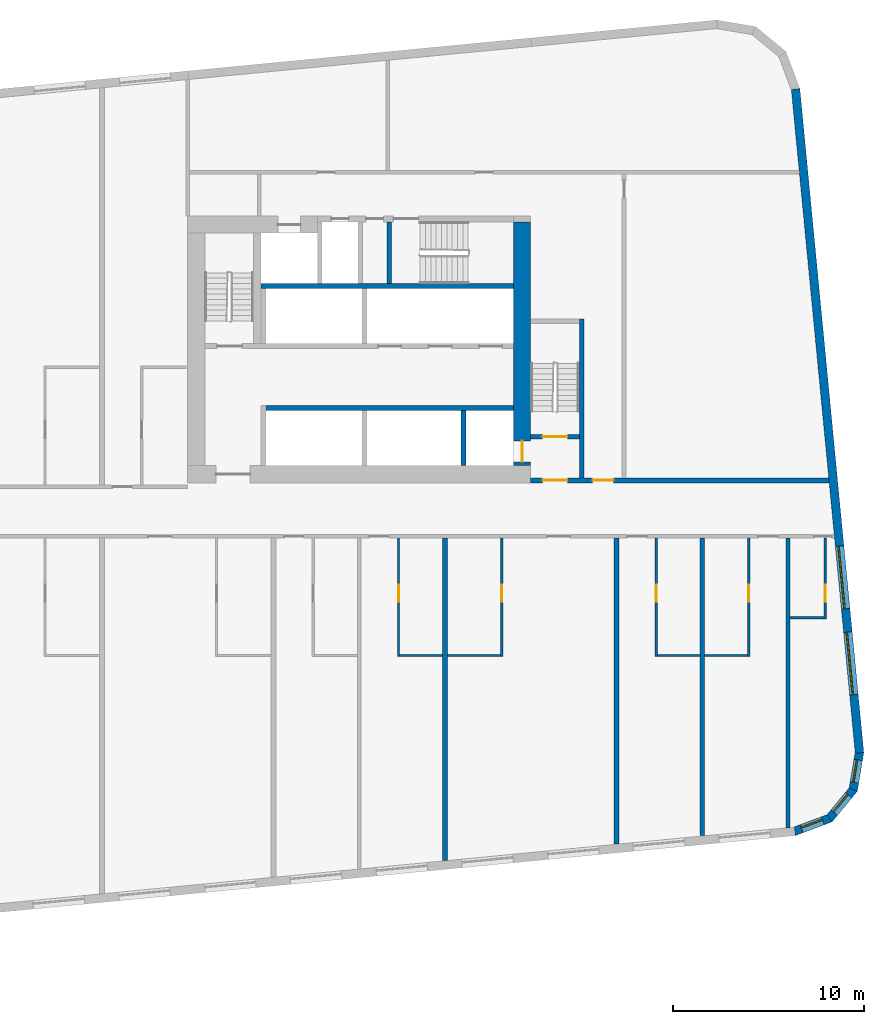
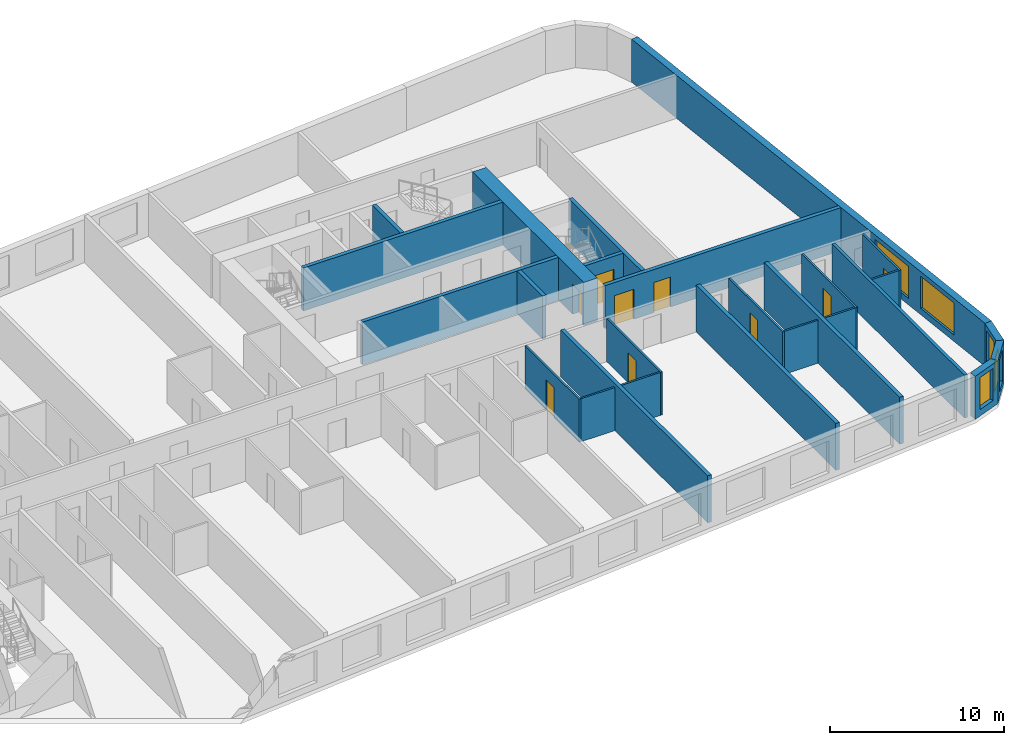
# One storey, part 7 of 12: 26 walls, 9 doors, 5 windows, 14 openings.
"""IFC4 building model written with IfcOpenShell, lengths in metres."""

import ifcopenshell
import ifcopenshell.guid

model = None  # the IFC model being written
_history = None  # IfcOwnerHistory: only IFC2X3 demands one
_inside = {}  # id of a spatial element -> (the spatial element, [elements in it])
_under = {}  # id of a project, library or spatial element -> (it, [spatial elements below it])
_declared = {}  # id of a project -> (the project, [libraries it declares])
_typed = {}  # id of a type object -> (the type object, [elements of that type])
_made_of = {}  # id of a material, layer set ... -> (it, [elements and type objects made of it])


def new_model(schema):
    """Start an empty IFC model of exactly this schema.

    Asked for "IFC4X3", IfcOpenShell would pick the latest addendum, in which some entities
    have other attributes; the version numbers below select the first issue.
    IFC2X3 requires an IfcOwnerHistory on every rooted entity: one is made here for all.
    """
    global model, _history
    if schema == "IFC4X3":
        model = ifcopenshell.file(schema_version=(4, 3, 0, 0))
    else:
        model = ifcopenshell.file(schema=schema)
    _inside.clear()
    _under.clear()
    _declared.clear()
    _typed.clear()
    _made_of.clear()
    _history = None
    if model.schema == "IFC2X3":
        org = make("IfcOrganization", Name="unknown")
        user = make(
            "IfcPersonAndOrganization",
            ThePerson=make("IfcPerson", FamilyName="unknown"),
            TheOrganization=org,
        )
        app = make(
            "IfcApplication",
            ApplicationDeveloper=org,
            Version="unknown",
            ApplicationFullName="unknown",
            ApplicationIdentifier="unknown",
        )
        _history = make(
            "IfcOwnerHistory",
            OwningUser=user,
            OwningApplication=app,
            ChangeAction="ADDED",
            CreationDate=0,
        )
    return model


def make(cls, **values):
    """One entity of the class cls with the attributes given. An attribute that is None is left unset."""
    return model.create_entity(
        cls, **{name: value for name, value in values.items() if value is not None}
    )


def rooted(cls, **values):
    """An entity with a GlobalId (a new one), such as an element, a storey or a relation."""
    return make(cls, GlobalId=ifcopenshell.guid.new(), OwnerHistory=_history, **values)


def si_unit(unit_type, name, prefix=None):
    """IfcSIUnit, for example si_unit("LENGTHUNIT", "METRE", prefix="MILLI")."""
    return make("IfcSIUnit", UnitType=unit_type, Prefix=prefix, Name=name)


def assignment(units):
    """IfcUnitAssignment: the units of a project."""
    return None if units is None else make("IfcUnitAssignment", Units=units)


def point(xyz):
    """IfcCartesianPoint."""
    return None if xyz is None else make("IfcCartesianPoint", Coordinates=xyz)


def direction(xyz):
    """IfcDirection."""
    return None if xyz is None else make("IfcDirection", DirectionRatios=xyz)


def frame(location, z_axis=None, x_axis=None):
    """IfcAxis2Placement3D, a coordinate frame: its origin and axes. An axis left out is left unset."""
    return make(
        "IfcAxis2Placement3D",
        Location=point(location),
        Axis=direction(z_axis),
        RefDirection=direction(x_axis),
    )


def frame_2d(location, x_axis=None):
    """IfcAxis2Placement2D, a coordinate frame in the plane: its origin and x axis."""
    return make(
        "IfcAxis2Placement2D", Location=point(location), RefDirection=direction(x_axis)
    )


def origin():
    """The frame at (0, 0, 0) with its axes left unset."""
    return frame((0.0, 0.0, 0.0))


def place(relative_to, where):
    """IfcLocalPlacement: puts the frame where relative to a parent placement (None: the world)."""
    return make(
        "IfcLocalPlacement", PlacementRelTo=relative_to, RelativePlacement=where
    )


def context(
    kind, dimensions, precision=None, world=None, true_north=None, identifier=None
):
    """IfcGeometricRepresentationContext, for example the 3D "Model" context."""
    return make(
        "IfcGeometricRepresentationContext",
        ContextIdentifier=identifier,
        ContextType=kind,
        CoordinateSpaceDimension=dimensions,
        Precision=precision,
        WorldCoordinateSystem=world,
        TrueNorth=true_north,
    )


def subcontext(parent, identifier, kind, view, scale=None):
    """IfcGeometricRepresentationSubContext, for example "Body" below "Model"."""
    return make(
        "IfcGeometricRepresentationSubContext",
        ContextIdentifier=identifier,
        ContextType=kind,
        ParentContext=parent,
        TargetScale=scale,
        TargetView=view,
    )


def project(units=None, contexts=None):
    """IfcProject with its units and contexts."""
    return rooted(
        "IfcProject",
        Name="project",
        RepresentationContexts=contexts,
        UnitsInContext=assignment(units),
    )


def spatial(cls, under=None, at=None, **own):
    """A site, building, storey or space (cls), placed at a placement, below another one or the project."""
    s = rooted(cls, ObjectPlacement=at, **own)
    if under is not None:
        _under.setdefault(under.id(), (under, []))[1].append(s)
    return s


def polyline(points):
    """IfcPolyline through the points."""
    return make("IfcPolyline", Points=[point(p) for p in points])


def profile(cls, at=None, kind="AREA", **sizes):
    """A parametric profile (cls). Its sizes go by their IFC names, for example OverallWidth=200.0."""
    return make(cls, ProfileType=kind, Position=at, **sizes)


def rectangle(**sizes):
    """IfcRectangleProfileDef."""
    return profile("IfcRectangleProfileDef", **sizes)


def outline(outer, holes=None, kind="AREA"):
    """IfcArbitraryClosedProfileDef: a profile drawn as a closed curve; with holes, ...WithVoids."""
    if holes is None:
        return make("IfcArbitraryClosedProfileDef", ProfileType=kind, OuterCurve=outer)
    return make(
        "IfcArbitraryProfileDefWithVoids",
        ProfileType=kind,
        OuterCurve=outer,
        InnerCurves=holes,
    )


def extrude(swept, where, along, depth):
    """IfcExtrudedAreaSolid: the profile swept, set in the frame where, extruded along a direction by depth."""
    return make(
        "IfcExtrudedAreaSolid",
        SweptArea=swept,
        Position=where,
        ExtrudedDirection=direction(along),
        Depth=depth,
    )


def shape(context_of_items, identifier, shape_type, items):
    """IfcShapeRepresentation: the items that make up one representation, for example the "Body"."""
    return make(
        "IfcShapeRepresentation",
        ContextOfItems=context_of_items,
        RepresentationIdentifier=identifier,
        RepresentationType=shape_type,
        Items=items,
    )


def material(Name=None, Category=None):
    """IfcMaterial."""
    return make("IfcMaterial", Name=Name, Category=Category)


def layer(
    of_material, thickness, ventilated=None, Name=None, Category=None, Priority=None
):
    """IfcMaterialLayer: one layer of a wall or slab, of a material (None: an air gap)."""
    return make(
        "IfcMaterialLayer",
        Material=of_material,
        LayerThickness=thickness,
        IsVentilated=ventilated,
        Name=Name,
        Category=Category,
        Priority=Priority,
    )


def layer_set(layers, Name=None):
    """IfcMaterialLayerSet."""
    return make("IfcMaterialLayerSet", MaterialLayers=layers, LayerSetName=Name)


def made_of(thing, what):
    """Note that an element or type object is made of a material, layer set ...; save() writes the relation."""
    if what is not None:
        _made_of.setdefault(what.id(), (what, []))[1].append(thing)
    return thing


def type_object(cls, material=None, **own):
    """A type object (cls), such as IfcWallType, which elements share."""
    return made_of(rooted(cls, **own), material)


def element(
    cls,
    number,
    at=None,
    inside=None,
    cuts=None,
    type_object=None,
    material=None,
    context=None,
    identifier="Body",
    shape_type=None,
    held_by="IfcProductDefinitionShape",
    body=None,
    shapes=None,
    **own,
):
    """One element of the class cls, such as IfcWall. Its Tag is "e" and its number.

    at: its placement. inside: the storey or other place that contains it. cuts: it is an
    opening in that element (IfcRelVoidsElement). A single representation is given by context,
    identifier, shape_type and body (its items); several are given by shapes. held_by: the class
    of the entity that holds the representations. save() writes the other relations.
    """
    e = rooted(cls, Tag="e%d" % number, ObjectPlacement=at, **own)
    if body is not None:
        shapes = [shape(context, identifier, shape_type, body)]
    if shapes is not None:
        e.Representation = make(held_by, Representations=shapes)
    if inside is not None:
        _inside.setdefault(inside.id(), (inside, []))[1].append(e)
    if cuts is not None:
        rooted(
            "IfcRelVoidsElement", RelatingBuildingElement=cuts, RelatedOpeningElement=e
        )
    if type_object is not None:
        _typed.setdefault(type_object.id(), (type_object, []))[1].append(e)
    return made_of(e, material)


def fill(opening, filler):
    """IfcRelFillsElement: the door or window that sits in an opening."""
    return rooted(
        "IfcRelFillsElement",
        RelatingOpeningElement=opening,
        RelatedBuildingElement=filler,
    )


def aggregate(whole, parts):
    """IfcRelAggregates: a whole, such as a stair, and the parts it consists of."""
    return rooted("IfcRelAggregates", RelatingObject=whole, RelatedObjects=parts)


def save(model, path):
    """Write the relations noted so far, then the file.

    IfcRelAggregates (storeys below a building ...), IfcRelContainedInSpatialStructure (elements
    in a storey), IfcRelDefinesByType, IfcRelAssociatesMaterial and IfcRelDeclares: one each for
    every whole, place, type object, material and project.
    """
    for whole, parts in _under.values():
        aggregate(whole, parts)
    for where, things in _inside.values():
        rooted(
            "IfcRelContainedInSpatialStructure",
            RelatedElements=things,
            RelatingStructure=where,
        )
    for kind, things in _typed.values():
        rooted("IfcRelDefinesByType", RelatedObjects=things, RelatingType=kind)
    for what, things in _made_of.values():
        rooted("IfcRelAssociatesMaterial", RelatedObjects=things, RelatingMaterial=what)
    for by, libraries in _declared.values():
        rooted("IfcRelDeclares", RelatingContext=by, RelatedDefinitions=libraries)
    model.write(path)


model = new_model("IFC4")

# Units and contexts
model_context = context("Model", 3, precision=1e-05, world=origin(), true_north=direction((0.0, 1.0)))
body_context = subcontext(model_context, "Body", "Model", "MODEL_VIEW")
ifc_project = project(units=[si_unit("LENGTHUNIT", "METRE"), si_unit("AREAUNIT", "SQUARE_METRE"), si_unit("VOLUMEUNIT", "CUBIC_METRE"), si_unit("PLANEANGLEUNIT", "RADIAN"), si_unit("MASSUNIT", "GRAM", prefix="KILO")], contexts=[model_context])

# Site, building, storey
site_placement = place(None, origin())
site = spatial("IfcSite", under=ifc_project, at=site_placement, CompositionType="ELEMENT")
building_placement = place(site_placement, origin())
building = spatial("IfcBuilding", under=site, at=building_placement, Name="Kajstack Hotel Tower", CompositionType="ELEMENT")
storey_placement = place(building_placement, frame((0.0, 0.0, 137.199951171875)))
storey = spatial("IfcBuildingStorey", under=building, at=storey_placement, Name="L31", CompositionType="ELEMENT", Elevation=137.199951171875)

# Wall, opening, door
ifc_material_1 = material(Name="Concrete C60/75", Category="concrete")
ifc_layer_1 = layer(ifc_material_1, 0.89990234375)
ifc_layer_set_1 = layer_set([ifc_layer_1], Name="Core wall 900")
wall_type_1 = type_object("IfcWallType", Name="Core wall 900", PredefinedType="SHEAR", material=ifc_layer_set_1)
wall_1_placement = place(storey_placement, frame((31.050048828125, 2.39990234375, 0.0), z_axis=(0.0, 0.0, 1.0), x_axis=(0.0, 1.0, 0.0)))
wall_1 = element("IfcWall", 1, at=wall_1_placement, inside=storey, type_object=wall_type_1, Name="Core wall E RW", PredefinedType="SHEAR", context=body_context, shape_type="SweptSolid", body=[
    extrude(rectangle(XDim=12.800048828125, YDim=0.89990234375, at=frame_2d((6.39990234375, 0.0))), origin(), (0.0, 0.0, 1.0), 3.02001953125),
])
opening_1_placement = place(wall_1_placement, frame((0.199951171875, 0.0, 0.0)))
opening_1 = element("IfcOpeningElement", 2, at=opening_1_placement, cuts=wall_1, Name="Opening LD-FF2", PredefinedType="OPENING", context=body_context, shape_type="SweptSolid", body=[
    extrude(rectangle(XDim=1.10009765625, YDim=2.10009765625, at=frame_2d((0.550048828125, 1.050048828125))), frame((0.0, 0.4599609375, 0.0), z_axis=(0.0, -1.0, 0.0), x_axis=(1.0, 0.0, 0.0)), (0.0, 0.0, 1.0), 0.919921875),
])
ifc_material_2 = material(Name="Stainless steel", Category="steel")
door_type_1 = type_object("IfcDoorType", Name="Fire-fighting lift landing door 1100", OperationType="SLIDING_TO_LEFT", PredefinedType="DOOR", material=ifc_material_2)
door_1_placement = place(opening_1_placement, origin())
door_1 = element("IfcDoor", 3, at=door_1_placement, inside=storey, type_object=door_type_1, Name="Landing door FF2", OperationType="SLIDING_TO_LEFT", OverallHeight=2.10009765625, OverallWidth=1.10009765625, PredefinedType="DOOR", context=body_context, shape_type="SweptSolid", body=[
    extrude(rectangle(XDim=1.10009765625, YDim=2.10009765625, at=frame_2d((0.550048828125, 1.050048828125))), frame((0.0, 0.02490234375, 0.0), z_axis=(0.0, -1.0, 0.0), x_axis=(1.0, 0.0, 0.0)), (0.0, 0.0, 1.0), 0.050048828125),
])
fill(opening_1, door_1)

# Wall
ifc_material_3 = material(Name="Twin-frame gypsum board on steel studs, mineral wool", Category="steel")
ifc_layer_2 = layer(ifc_material_3, 0.199951171875)
ifc_layer_set_2 = layer_set([ifc_layer_2], Name="Demising wall 200")
wall_type_2 = type_object("IfcWallType", Name="Demising wall 200", PredefinedType="PARTITIONING", material=ifc_layer_set_2)
wall_2_placement = place(storey_placement, frame((45.0, -16.59912109375, 0.0), z_axis=(0.0, 0.0, 1.0), x_axis=(0.0, 1.0, 0.0)))
element("IfcWall", 4, at=wall_2_placement, inside=storey, type_object=wall_type_2, Name="G-wall-L31-042", PredefinedType="PARTITIONING", context=body_context, shape_type="SweptSolid", body=[
    extrude(rectangle(XDim=15.19921875, YDim=0.199951171875, at=frame_2d((7.599609375, 0.0))), origin(), (0.0, 0.0, 1.0), 3.02001953125),
])

# Wall, opening, window
ifc_material_4 = material(Name="Terracotta-faced brick masonry", Category="masonry")
ifc_layer_3 = layer(ifc_material_4, 0.449951171875)
ifc_layer_set_3 = layer_set([ifc_layer_3], Name="EW-TERRA")
wall_type_3 = type_object("IfcWallType", Name="EW-TERRA", PredefinedType="SOLIDWALL", material=ifc_layer_set_3)
wall_3_placement = place(storey_placement, frame((45.300048828125, -16.804443359375, 0.0), z_axis=(0.0, 0.0, 1.0), x_axis=(0.936677599948, 0.350192909346, 0.0)))
wall_3 = element("IfcWall", 5, at=wall_3_placement, inside=storey, type_object=wall_type_3, Name="E-wall-L31-05-00", PredefinedType="SOLIDWALL", context=body_context, shape_type="SweptSolid", body=[
    extrude(outline(polyline([(0.0, -0.224853515625), (2.070556640625, -0.224853515625), (1.949951171875, 0.22509765625), (0.12060546875, 0.22509765625), (0.0, -0.224853515625)])), origin(), (0.0, 0.0, 1.0), 3.02001953125),
])
opening_2_placement = place(wall_3_placement, frame((0.435302734375, 0.0, 0.449951171875)))
opening_2 = element("IfcOpeningElement", 6, at=opening_2_placement, cuts=wall_3, Name="Opening W3", PredefinedType="OPENING", context=body_context, shape_type="SweptSolid", body=[
    extrude(rectangle(XDim=1.199951171875, YDim=2.25, at=frame_2d((0.60009765625, 1.125))), frame((0.0, 0.23486328125, 0.0), z_axis=(0.0, -1.0, 0.0), x_axis=(1.0, 0.0, 0.0)), (0.0, 0.0, 1.0), 0.469970703125),
])
ifc_material_5 = material(Name="Timber-aluminium window, triple glazed", Category="wood")
window_type_1 = type_object("IfcWindowType", Name="WG3", PartitioningType="SINGLE_PANEL", PredefinedType="WINDOW", material=ifc_material_5)
window_1_placement = place(opening_2_placement, origin())
window_1 = element("IfcWindow", 7, at=window_1_placement, inside=storey, type_object=window_type_1, Name="Window W3 L31-05", OverallHeight=2.25, OverallWidth=1.199951171875, PartitioningType="SINGLE_PANEL", PredefinedType="WINDOW", context=body_context, shape_type="SweptSolid", body=[
    extrude(rectangle(XDim=1.199951171875, YDim=2.25, at=frame_2d((0.60009765625, 1.125))), frame((0.0, 0.090087890625, 0.0), z_axis=(0.0, -1.0, 0.0), x_axis=(1.0, 0.0, 0.0)), (0.0, 0.0, 1.0), 0.06005859375),
])
fill(opening_2, window_1)

wall_4_placement = place(storey_placement, frame((47.144775390625, -16.14697265625, 0.0), z_axis=(0.0, 0.0, 1.0), x_axis=(0.635988241739, 0.771698747161, 0.0)))
wall_4 = element("IfcWall", 8, at=wall_4_placement, inside=storey, type_object=wall_type_3, Name="E-wall-L31-06-00", PredefinedType="SOLIDWALL", context=body_context, shape_type="SweptSolid", body=[
    extrude(outline(polyline([(0.0, -0.224853515625), (2.070556640625, -0.22509765625), (1.949951171875, 0.224853515625), (0.12060546875, 0.22509765625), (0.0, -0.224853515625)])), origin(), (0.0, 0.0, 1.0), 3.02001953125),
])
opening_3_placement = place(wall_4_placement, frame((0.435302734375, 0.0, 0.449951171875)))
opening_3 = element("IfcOpeningElement", 9, at=opening_3_placement, cuts=wall_4, Name="Opening W3", PredefinedType="OPENING", context=body_context, shape_type="SweptSolid", body=[
    extrude(rectangle(XDim=1.199951171875, YDim=2.25, at=frame_2d((0.60009765625, 1.125))), frame((0.0, 0.23486328125, 0.0), z_axis=(0.0, -1.0, 0.0), x_axis=(1.0, 0.0, 0.0)), (0.0, 0.0, 1.0), 0.469970703125),
])
window_2_placement = place(opening_3_placement, origin())
window_2 = element("IfcWindow", 10, at=window_2_placement, inside=storey, type_object=window_type_1, Name="Window W3 L31-06", OverallHeight=2.25, OverallWidth=1.199951171875, PartitioningType="SINGLE_PANEL", PredefinedType="WINDOW", context=body_context, shape_type="SweptSolid", body=[
    extrude(rectangle(XDim=1.199951171875, YDim=2.25, at=frame_2d((0.60009765625, 1.125))), frame((0.0, 0.090087890625, 0.0), z_axis=(0.0, -1.0, 0.0), x_axis=(1.0, 0.0, 0.0)), (0.0, 0.0, 1.0), 0.06005859375),
])
fill(opening_3, window_2)

wall_5_placement = place(storey_placement, frame((48.413330078125, -14.6552734375, 0.0), z_axis=(0.0, 0.0, 1.0), x_axis=(0.165068144653, 0.986282164302, 0.0)))
wall_5 = element("IfcWall", 11, at=wall_5_placement, inside=storey, type_object=wall_type_3, Name="E-wall-L31-07-00", PredefinedType="SOLIDWALL", context=body_context, shape_type="SweptSolid", body=[
    extrude(outline(polyline([(0.0, -0.22509765625), (2.07080078125, -0.224853515625), (1.9501953125, 0.22509765625), (0.12060546875, 0.224853515625), (0.0, -0.22509765625)])), origin(), (0.0, 0.0, 1.0), 3.02001953125),
])
opening_4_placement = place(wall_5_placement, frame((0.435302734375, 0.0, 0.449951171875)))
opening_4 = element("IfcOpeningElement", 12, at=opening_4_placement, cuts=wall_5, Name="Opening W3", PredefinedType="OPENING", context=body_context, shape_type="SweptSolid", body=[
    extrude(rectangle(XDim=1.199951171875, YDim=2.25, at=frame_2d((0.60009765625, 1.125))), frame((0.0, 0.23486328125, 0.0), z_axis=(0.0, -1.0, 0.0), x_axis=(1.0, 0.0, 0.0)), (0.0, 0.0, 1.0), 0.469970703125),
])
window_3_placement = place(opening_4_placement, origin())
window_3 = element("IfcWindow", 13, at=window_3_placement, inside=storey, type_object=window_type_1, Name="Window W3 L31-07", OverallHeight=2.25, OverallWidth=1.199951171875, PartitioningType="SINGLE_PANEL", PredefinedType="WINDOW", context=body_context, shape_type="SweptSolid", body=[
    extrude(rectangle(XDim=1.199951171875, YDim=2.25, at=frame_2d((0.60009765625, 1.125))), frame((0.0, 0.090087890625, 0.0), z_axis=(0.0, -1.0, 0.0), x_axis=(1.0, 0.0, 0.0)), (0.0, 0.0, 1.0), 0.06005859375),
])
fill(opening_4, window_3)

# Wall, openings, windows
wall_6_placement = place(storey_placement, frame((48.7529296875, -12.671630859375, 0.0), z_axis=(0.0, 0.0, 1.0), x_axis=(-0.095842661909, 0.995396495954, 0.0)))
wall_6 = element("IfcWall", 14, at=wall_6_placement, inside=storey, type_object=wall_type_3, Name="E-wall-L31-08-00", PredefinedType="SOLIDWALL", context=body_context, shape_type="SweptSolid", body=[
    extrude(rectangle(XDim=35.0, YDim=0.449951171875, at=frame_2d((17.5, 0.0))), origin(), (0.0, 0.0, 1.0), 3.02001953125),
])
opening_5_placement = place(wall_6_placement, frame((3.07177734375, 0.0, 0.449951171875)))
opening_5 = element("IfcOpeningElement", 15, at=opening_5_placement, cuts=wall_6, Name="Opening W2", PredefinedType="OPENING", context=body_context, shape_type="SweptSolid", body=[
    extrude(rectangle(XDim=3.300048828125, YDim=2.25, at=frame_2d((1.64990234375, 1.125))), frame((0.0, 0.23486328125, 0.0), z_axis=(0.0, -1.0, 0.0), x_axis=(1.0, 0.0, 0.0)), (0.0, 0.0, 1.0), 0.469970703125),
])
opening_6_placement = place(wall_6_placement, frame((7.592529296875, 0.0, 0.449951171875)))
opening_6 = element("IfcOpeningElement", 16, at=opening_6_placement, cuts=wall_6, Name="Opening W2", PredefinedType="OPENING", context=body_context, shape_type="SweptSolid", body=[
    extrude(rectangle(XDim=3.300048828125, YDim=2.25, at=frame_2d((1.64990234375, 1.125))), frame((0.0, 0.23486328125, 0.0), z_axis=(0.0, -1.0, 0.0), x_axis=(1.0, 0.0, 0.0)), (0.0, 0.0, 1.0), 0.469970703125),
])
window_type_2 = type_object("IfcWindowType", Name="WG2", PartitioningType="SINGLE_PANEL", PredefinedType="WINDOW", material=ifc_material_5)
window_4_placement = place(opening_5_placement, origin())
window_4 = element("IfcWindow", 17, at=window_4_placement, inside=storey, type_object=window_type_2, Name="Window W2 L31-08", OverallHeight=2.25, OverallWidth=3.300048828125, PartitioningType="SINGLE_PANEL", PredefinedType="WINDOW", context=body_context, shape_type="SweptSolid", body=[
    extrude(rectangle(XDim=3.300048828125, YDim=2.25, at=frame_2d((1.64990234375, 1.125))), frame((0.0, 0.090087890625, 0.0), z_axis=(0.0, -1.0, 0.0), x_axis=(1.0, 0.0, 0.0)), (0.0, 0.0, 1.0), 0.06005859375),
])
fill(opening_5, window_4)
window_5_placement = place(opening_6_placement, origin())
window_5 = element("IfcWindow", 18, at=window_5_placement, inside=storey, type_object=window_type_2, Name="Window W2 L31-08", OverallHeight=2.25, OverallWidth=3.300048828125, PartitioningType="SINGLE_PANEL", PredefinedType="WINDOW", context=body_context, shape_type="SweptSolid", body=[
    extrude(rectangle(XDim=3.300048828125, YDim=2.25, at=frame_2d((1.64990234375, 1.125))), frame((0.0, 0.090087890625, 0.0), z_axis=(0.0, -1.0, 0.0), x_axis=(1.0, 0.0, 0.0)), (0.0, 0.0, 1.0), 0.06005859375),
])
fill(opening_6, window_5)

# Wall, opening, door
ifc_material_6 = material(Name="Gypsum board and tiled backer on steel studs", Category="steel")
ifc_layer_4 = layer(ifc_material_6, 0.125)
ifc_layer_set_4 = layer_set([ifc_layer_4], Name="En-suite wall 125")
wall_type_4 = type_object("IfcWallType", Name="En-suite wall 125", PredefinedType="PARTITIONING", material=ifc_layer_set_4)
wall_7_placement = place(storey_placement, frame((24.56201171875, -7.625, 0.0), z_axis=(0.0, 0.0, 1.0), x_axis=(0.0, 1.0, 0.0)))
wall_7 = element("IfcWall", 19, at=wall_7_placement, inside=storey, type_object=wall_type_4, Name="G-wall-L31-036", PredefinedType="PARTITIONING", context=body_context, shape_type="SweptSolid", body=[
    extrude(rectangle(XDim=6.22509765625, YDim=0.125, at=frame_2d((3.112548828125, 0.0))), origin(), (0.0, 0.0, 1.0), 3.02001953125),
])
opening_7_placement = place(wall_7_placement, frame((2.875, 0.0, 0.0)))
opening_7 = element("IfcOpeningElement", 20, at=opening_7_placement, cuts=wall_7, Name="Opening 31030", PredefinedType="OPENING", context=body_context, shape_type="SweptSolid", body=[
    extrude(rectangle(XDim=0.89990234375, YDim=2.10009765625, at=frame_2d((0.449951171875, 1.050048828125))), frame((0.0, 0.072509765625, 0.0), z_axis=(0.0, -1.0, 0.0), x_axis=(1.0, 0.0, 0.0)), (0.0, 0.0, 1.0), 0.14501953125),
])
ifc_material_7 = material(Name="Painted timber door leaf", Category="wood")
door_type_2 = type_object("IfcDoorType", Name="Room door 900", OperationType="SINGLE_SWING_LEFT", PredefinedType="DOOR", material=ifc_material_7)
door_2_placement = place(opening_7_placement, origin())
door_2 = element("IfcDoor", 21, at=door_2_placement, inside=storey, type_object=door_type_2, Name="G-door-L31-30", OperationType="SINGLE_SWING_RIGHT", OverallHeight=2.10009765625, OverallWidth=0.89990234375, PredefinedType="DOOR", context=body_context, shape_type="SweptSolid", body=[
    extrude(rectangle(XDim=0.89990234375, YDim=2.10009765625, at=frame_2d((0.449951171875, 1.050048828125))), frame((0.0, 0.02490234375, 0.0), z_axis=(0.0, -1.0, 0.0), x_axis=(1.0, 0.0, 0.0)), (0.0, 0.0, 1.0), 0.050048828125),
])
fill(opening_7, door_2)

# Wall
wall_8_placement = place(storey_placement, frame((24.625, -7.56201171875, 0.0), z_axis=(0.0, 0.0, 1.0), x_axis=(1.0, 0.0, 0.0)))
element("IfcWall", 22, at=wall_8_placement, inside=storey, type_object=wall_type_4, Name="G-wall-L31-037", PredefinedType="PARTITIONING", context=body_context, shape_type="SweptSolid", body=[
    extrude(rectangle(XDim=2.25, YDim=0.125, at=frame_2d((1.125, 0.0))), origin(), (0.0, 0.0, 1.0), 3.02001953125),
])

# Wall, opening, door
wall_9_placement = place(storey_placement, frame((29.988037109375, -7.625, 0.0), z_axis=(0.0, 0.0, 1.0), x_axis=(0.0, 1.0, 0.0)))
wall_9 = element("IfcWall", 23, at=wall_9_placement, inside=storey, type_object=wall_type_4, Name="G-wall-L31-038", PredefinedType="PARTITIONING", context=body_context, shape_type="SweptSolid", body=[
    extrude(rectangle(XDim=6.22509765625, YDim=0.125, at=frame_2d((3.112548828125, 0.0))), origin(), (0.0, 0.0, 1.0), 3.02001953125),
])
opening_8_placement = place(wall_9_placement, frame((2.875, 0.0, 0.0)))
opening_8 = element("IfcOpeningElement", 24, at=opening_8_placement, cuts=wall_9, Name="Opening 31032", PredefinedType="OPENING", context=body_context, shape_type="SweptSolid", body=[
    extrude(rectangle(XDim=0.89990234375, YDim=2.10009765625, at=frame_2d((0.449951171875, 1.050048828125))), frame((0.0, 0.072509765625, 0.0), z_axis=(0.0, -1.0, 0.0), x_axis=(1.0, 0.0, 0.0)), (0.0, 0.0, 1.0), 0.14501953125),
])
door_3_placement = place(opening_8_placement, origin())
door_3 = element("IfcDoor", 25, at=door_3_placement, inside=storey, type_object=door_type_2, Name="G-door-L31-32", OperationType="SINGLE_SWING_RIGHT", OverallHeight=2.10009765625, OverallWidth=0.89990234375, PredefinedType="DOOR", context=body_context, shape_type="SweptSolid", body=[
    extrude(rectangle(XDim=0.89990234375, YDim=2.10009765625, at=frame_2d((0.449951171875, 1.050048828125))), frame((0.0, 0.02490234375, 0.0), z_axis=(0.0, -1.0, 0.0), x_axis=(1.0, 0.0, 0.0)), (0.0, 0.0, 1.0), 0.050048828125),
])
fill(opening_8, door_3)

# Wall
wall_10_placement = place(storey_placement, frame((27.125, -7.56201171875, 0.0), z_axis=(0.0, 0.0, 1.0), x_axis=(1.0, 0.0, 0.0)))
element("IfcWall", 26, at=wall_10_placement, inside=storey, type_object=wall_type_4, Name="G-wall-L31-039", PredefinedType="PARTITIONING", context=body_context, shape_type="SweptSolid", body=[
    extrude(rectangle(XDim=2.800048828125, YDim=0.125, at=frame_2d((1.39990234375, 0.0))), origin(), (0.0, 0.0, 1.0), 3.02001953125),
])

# Wall, opening, door
wall_11_placement = place(storey_placement, frame((38.0869140625, -7.625, 0.0), z_axis=(0.0, 0.0, 1.0), x_axis=(0.0, 1.0, 0.0)))
wall_11 = element("IfcWall", 27, at=wall_11_placement, inside=storey, type_object=wall_type_4, Name="G-wall-L31-040", PredefinedType="PARTITIONING", context=body_context, shape_type="SweptSolid", body=[
    extrude(rectangle(XDim=6.22509765625, YDim=0.125, at=frame_2d((3.112548828125, 0.0))), origin(), (0.0, 0.0, 1.0), 3.02001953125),
])
opening_9_placement = place(wall_11_placement, frame((2.875, 0.0, 0.0)))
opening_9 = element("IfcOpeningElement", 28, at=opening_9_placement, cuts=wall_11, Name="Opening 31034", PredefinedType="OPENING", context=body_context, shape_type="SweptSolid", body=[
    extrude(rectangle(XDim=0.89990234375, YDim=2.10009765625, at=frame_2d((0.449951171875, 1.050048828125))), frame((0.0, 0.072509765625, 0.0), z_axis=(0.0, -1.0, 0.0), x_axis=(1.0, 0.0, 0.0)), (0.0, 0.0, 1.0), 0.14501953125),
])
door_4_placement = place(opening_9_placement, origin())
door_4 = element("IfcDoor", 29, at=door_4_placement, inside=storey, type_object=door_type_2, Name="G-door-L31-34", OperationType="SINGLE_SWING_RIGHT", OverallHeight=2.10009765625, OverallWidth=0.89990234375, PredefinedType="DOOR", context=body_context, shape_type="SweptSolid", body=[
    extrude(rectangle(XDim=0.89990234375, YDim=2.10009765625, at=frame_2d((0.449951171875, 1.050048828125))), frame((0.0, 0.02490234375, 0.0), z_axis=(0.0, -1.0, 0.0), x_axis=(1.0, 0.0, 0.0)), (0.0, 0.0, 1.0), 0.050048828125),
])
fill(opening_9, door_4)

# Wall
wall_12_placement = place(storey_placement, frame((38.14990234375, -7.56201171875, 0.0), z_axis=(0.0, 0.0, 1.0), x_axis=(1.0, 0.0, 0.0)))
element("IfcWall", 30, at=wall_12_placement, inside=storey, type_object=wall_type_4, Name="G-wall-L31-041", PredefinedType="PARTITIONING", context=body_context, shape_type="SweptSolid", body=[
    extrude(rectangle(XDim=2.22509765625, YDim=0.125, at=frame_2d((1.112548828125, 0.0))), origin(), (0.0, 0.0, 1.0), 3.02001953125),
])

# Wall, opening, door
wall_13_placement = place(storey_placement, frame((42.93798828125, -7.625, 0.0), z_axis=(0.0, 0.0, 1.0), x_axis=(0.0, 1.0, 0.0)))
wall_13 = element("IfcWall", 31, at=wall_13_placement, inside=storey, type_object=wall_type_4, Name="G-wall-L31-043", PredefinedType="PARTITIONING", context=body_context, shape_type="SweptSolid", body=[
    extrude(rectangle(XDim=6.22509765625, YDim=0.125, at=frame_2d((3.112548828125, 0.0))), origin(), (0.0, 0.0, 1.0), 3.02001953125),
])
opening_10_placement = place(wall_13_placement, frame((2.875, 0.0, 0.0)))
opening_10 = element("IfcOpeningElement", 32, at=opening_10_placement, cuts=wall_13, Name="Opening 31036", PredefinedType="OPENING", context=body_context, shape_type="SweptSolid", body=[
    extrude(rectangle(XDim=0.89990234375, YDim=2.10009765625, at=frame_2d((0.449951171875, 1.050048828125))), frame((0.0, 0.072509765625, 0.0), z_axis=(0.0, -1.0, 0.0), x_axis=(1.0, 0.0, 0.0)), (0.0, 0.0, 1.0), 0.14501953125),
])
door_5_placement = place(opening_10_placement, origin())
door_5 = element("IfcDoor", 33, at=door_5_placement, inside=storey, type_object=door_type_2, Name="G-door-L31-36", OperationType="SINGLE_SWING_LEFT", OverallHeight=2.10009765625, OverallWidth=0.89990234375, PredefinedType="DOOR", context=body_context, shape_type="SweptSolid", body=[
    extrude(rectangle(XDim=0.89990234375, YDim=2.10009765625, at=frame_2d((0.449951171875, 1.050048828125))), frame((0.0, 0.02490234375, 0.0), z_axis=(0.0, -1.0, 0.0), x_axis=(1.0, 0.0, 0.0)), (0.0, 0.0, 1.0), 0.050048828125),
])
fill(opening_10, door_5)

# Wall
wall_14_placement = place(storey_placement, frame((40.625, -7.56201171875, 0.0), z_axis=(0.0, 0.0, 1.0), x_axis=(1.0, 0.0, 0.0)))
element("IfcWall", 34, at=wall_14_placement, inside=storey, type_object=wall_type_4, Name="G-wall-L31-044", PredefinedType="PARTITIONING", context=body_context, shape_type="SweptSolid", body=[
    extrude(rectangle(XDim=2.25, YDim=0.125, at=frame_2d((1.125, 0.0))), origin(), (0.0, 0.0, 1.0), 3.02001953125),
])

# Wall, opening, door
wall_15_placement = place(storey_placement, frame((46.9619140625, -5.634033203125, 0.0), z_axis=(0.0, 0.0, 1.0), x_axis=(0.0, 1.0, 0.0)))
wall_15 = element("IfcWall", 35, at=wall_15_placement, inside=storey, type_object=wall_type_4, Name="G-wall-L31-045", PredefinedType="PARTITIONING", context=body_context, shape_type="SweptSolid", body=[
    extrude(rectangle(XDim=4.234130859375, YDim=0.125, at=frame_2d((2.1171875, 0.0))), origin(), (0.0, 0.0, 1.0), 3.02001953125),
])
opening_11_placement = place(wall_15_placement, frame((0.884033203125, 0.0, 0.0)))
opening_11 = element("IfcOpeningElement", 36, at=opening_11_placement, cuts=wall_15, Name="Opening 31038", PredefinedType="OPENING", context=body_context, shape_type="SweptSolid", body=[
    extrude(rectangle(XDim=0.89990234375, YDim=2.10009765625, at=frame_2d((0.449951171875, 1.050048828125))), frame((0.0, 0.072509765625, 0.0), z_axis=(0.0, -1.0, 0.0), x_axis=(1.0, 0.0, 0.0)), (0.0, 0.0, 1.0), 0.14501953125),
])
door_6_placement = place(opening_11_placement, origin())
door_6 = element("IfcDoor", 37, at=door_6_placement, inside=storey, type_object=door_type_2, Name="G-door-L31-38", OperationType="SINGLE_SWING_LEFT", OverallHeight=2.10009765625, OverallWidth=0.89990234375, PredefinedType="DOOR", context=body_context, shape_type="SweptSolid", body=[
    extrude(rectangle(XDim=0.89990234375, YDim=2.10009765625, at=frame_2d((0.449951171875, 1.050048828125))), frame((0.0, 0.02490234375, 0.0), z_axis=(0.0, -1.0, 0.0), x_axis=(1.0, 0.0, 0.0)), (0.0, 0.0, 1.0), 0.050048828125),
])
fill(opening_11, door_6)

# Walls
wall_16_placement = place(storey_placement, frame((45.10009765625, -5.572021484375, 0.0), z_axis=(0.0, 0.0, 1.0), x_axis=(1.0, 0.0, 0.0)))
element("IfcWall", 38, at=wall_16_placement, inside=storey, type_object=wall_type_4, Name="G-wall-L31-046", PredefinedType="PARTITIONING", context=body_context, shape_type="SweptSolid", body=[
    extrude(rectangle(XDim=1.7998046875, YDim=0.125, at=frame_2d((0.89990234375, 0.0))), origin(), (0.0, 0.0, 1.0), 3.02001953125),
])
ifc_material_8 = material(Name="Concrete C55/67", Category="concrete")
ifc_layer_5 = layer(ifc_material_8, 0.25)
ifc_layer_set_5 = layer_set([ifc_layer_5], Name="RC cross wall 250 C55/67")
wall_type_5 = type_object("IfcWallType", Name="RC cross wall 250 C55/67", PredefinedType="SHEAR", material=ifc_layer_set_5)
wall_17_placement = place(storey_placement, frame((27.0, -18.310546875, 0.0), z_axis=(0.0, 0.0, 1.0), x_axis=(0.0, 1.0, 0.0)))
element("IfcWall", 39, at=wall_17_placement, inside=storey, type_object=wall_type_5, Name="S-wall-L31-11", PredefinedType="SHEAR", context=body_context, shape_type="SweptSolid", body=[
    extrude(rectangle(XDim=16.91064453125, YDim=0.25, at=frame_2d((8.455322265625, 0.0))), origin(), (0.0, 0.0, 1.0), 3.300048828125),
])
wall_18_placement = place(storey_placement, frame((36.0, -17.444091796875, 0.0), z_axis=(0.0, 0.0, 1.0), x_axis=(0.0, 1.0, 0.0)))
element("IfcWall", 40, at=wall_18_placement, inside=storey, type_object=wall_type_5, Name="S-wall-L31-12", PredefinedType="SHEAR", context=body_context, shape_type="SweptSolid", body=[
    extrude(rectangle(XDim=16.044189453125, YDim=0.25, at=frame_2d((8.02197265625, 0.0))), origin(), (0.0, 0.0, 1.0), 3.300048828125),
])
wall_19_placement = place(storey_placement, frame((40.5, -17.0107421875, 0.0), z_axis=(0.0, 0.0, 1.0), x_axis=(0.0, 1.0, 0.0)))
element("IfcWall", 41, at=wall_19_placement, inside=storey, type_object=wall_type_5, Name="S-wall-L31-13", PredefinedType="SHEAR", context=body_context, shape_type="SweptSolid", body=[
    extrude(rectangle(XDim=15.61083984375, YDim=0.25, at=frame_2d((7.805419921875, 0.0))), origin(), (0.0, 0.0, 1.0), 3.300048828125),
])

# Wall, openings, doors
ifc_material_9 = material(Name="Gypsum board on steel studs, mineral wool", Category="steel")
ifc_layer_6 = layer(ifc_material_9, 0.199951171875)
ifc_layer_set_6 = layer_set([ifc_layer_6], Name="Service partition 200")
wall_type_6 = type_object("IfcWallType", Name="Service partition 200", PredefinedType="PARTITIONING", material=ifc_layer_set_6)
wall_20_placement = place(storey_placement, frame((31.5, 1.625, 0.0), z_axis=(0.0, 0.0, 1.0), x_axis=(1.0, 0.0, 0.0)))
wall_20 = element("IfcWall", 42, at=wall_20_placement, inside=storey, type_object=wall_type_6, Name="Partition E SN", PredefinedType="PARTITIONING", context=body_context, shape_type="SweptSolid", body=[
    extrude(rectangle(XDim=15.650390625, YDim=0.25, at=frame_2d((7.8251953125, 0.0))), origin(), (0.0, 0.0, 1.0), 3.02001953125),
])
opening_12_placement = place(wall_20_placement, frame((0.625, 0.0, 0.0)))
opening_12 = element("IfcOpeningElement", 43, at=opening_12_placement, cuts=wall_20, Name="Opening 31E07", PredefinedType="OPENING", context=body_context, shape_type="SweptSolid", body=[
    extrude(rectangle(XDim=1.300048828125, YDim=2.10009765625, at=frame_2d((0.64990234375, 1.050048828125))), frame((0.0, 0.135009765625, 0.0), z_axis=(0.0, -1.0, 0.0), x_axis=(1.0, 0.0, 0.0)), (0.0, 0.0, 1.0), 0.27001953125),
])
opening_13_placement = place(wall_20_placement, frame((3.25, 0.0, 0.0)))
opening_13 = element("IfcOpeningElement", 44, at=opening_13_placement, cuts=wall_20, Name="Opening 31E09", PredefinedType="OPENING", context=body_context, shape_type="SweptSolid", body=[
    extrude(rectangle(XDim=1.10009765625, YDim=2.10009765625, at=frame_2d((0.550048828125, 1.050048828125))), frame((0.0, 0.135009765625, 0.0), z_axis=(0.0, -1.0, 0.0), x_axis=(1.0, 0.0, 0.0)), (0.0, 0.0, 1.0), 0.27001953125),
])
ifc_material_10 = material(Name="Steel leaf, fire-rated", Category="steel")
door_type_3 = type_object("IfcDoorType", Name="Fire lobby door 1300", OperationType="SINGLE_SWING_LEFT", PredefinedType="DOOR", material=ifc_material_10)
door_7_placement = place(opening_12_placement, origin())
door_7 = element("IfcDoor", 45, at=door_7_placement, inside=storey, type_object=door_type_3, Name="Door 31E07", OperationType="SINGLE_SWING_LEFT", OverallHeight=2.10009765625, OverallWidth=1.300048828125, PredefinedType="DOOR", context=body_context, shape_type="SweptSolid", body=[
    extrude(rectangle(XDim=1.300048828125, YDim=2.10009765625, at=frame_2d((0.64990234375, 1.050048828125))), frame((0.0, 0.02490234375, 0.0), z_axis=(0.0, -1.0, 0.0), x_axis=(1.0, 0.0, 0.0)), (0.0, 0.0, 1.0), 0.050048828125),
])
fill(opening_12, door_7)
ifc_material_11 = material(Name="Timber leaf, fire-rated", Category="wood")
door_type_4 = type_object("IfcDoorType", Name="Service corridor door 1100", OperationType="SINGLE_SWING_LEFT", PredefinedType="DOOR", material=ifc_material_11)
door_8_placement = place(opening_13_placement, origin())
door_8 = element("IfcDoor", 46, at=door_8_placement, inside=storey, type_object=door_type_4, Name="Door 31E09", OperationType="SINGLE_SWING_LEFT", OverallHeight=2.10009765625, OverallWidth=1.10009765625, PredefinedType="DOOR", context=body_context, shape_type="SweptSolid", body=[
    extrude(rectangle(XDim=1.10009765625, YDim=2.10009765625, at=frame_2d((0.550048828125, 1.050048828125))), frame((0.0, 0.02490234375, 0.0), z_axis=(0.0, -1.0, 0.0), x_axis=(1.0, 0.0, 0.0)), (0.0, 0.0, 1.0), 0.050048828125),
])
fill(opening_13, door_8)

# Walls
ifc_material_12 = material(Name="Concrete C50/60", Category="concrete")
ifc_layer_7 = layer(ifc_material_12, 0.25)
ifc_layer_set_7 = layer_set([ifc_layer_7], Name="Shaft wall 250")
wall_type_7 = type_object("IfcWallType", Name="Shaft wall 250", PredefinedType="SHEAR", material=ifc_layer_set_7)
wall_21_placement = place(storey_placement, frame((17.60009765625, 5.425048828125, 0.0), z_axis=(0.0, 0.0, 1.0), x_axis=(1.0, 0.0, 0.0)))
element("IfcWall", 47, at=wall_21_placement, inside=storey, type_object=wall_type_7, Name="Core wall E FA", PredefinedType="SHEAR", context=body_context, shape_type="SweptSolid", body=[
    extrude(rectangle(XDim=13.0, YDim=0.25, at=frame_2d((6.5, 0.0))), origin(), (0.0, 0.0, 1.0), 3.02001953125),
])
wall_22_placement = place(storey_placement, frame((27.97509765625, 2.39990234375, 0.0), z_axis=(0.0, 0.0, 1.0), x_axis=(0.0, 1.0, 0.0)))
element("IfcWall", 48, at=wall_22_placement, inside=storey, type_object=wall_type_7, Name="Core wall E AP0", PredefinedType="SHEAR", context=body_context, shape_type="SweptSolid", body=[
    extrude(rectangle(XDim=2.900146484375, YDim=0.25, at=frame_2d((1.4501953125, 0.0))), origin(), (0.0, 0.0, 1.0), 3.02001953125),
])
wall_23_placement = place(storey_placement, frame((17.35009765625, 11.824951171875, 0.0), z_axis=(0.0, 0.0, 1.0), x_axis=(1.0, 0.0, 0.0)))
element("IfcWall", 49, at=wall_23_placement, inside=storey, type_object=wall_type_7, Name="Core wall E RB", PredefinedType="SHEAR", context=body_context, shape_type="SweptSolid", body=[
    extrude(rectangle(XDim=13.25, YDim=0.25, at=frame_2d((6.625, 0.0))), origin(), (0.0, 0.0, 1.0), 3.02001953125),
])

# Wall, opening, door
ifc_material_13 = material(Name="Concrete C40/50", Category="concrete")
ifc_layer_8 = layer(ifc_material_13, 0.25)
ifc_layer_set_8 = layer_set([ifc_layer_8], Name="Stair enclosure wall 250")
wall_type_8 = type_object("IfcWallType", Name="Stair enclosure wall 250", PredefinedType="SHEAR", material=ifc_layer_set_8)
wall_24_placement = place(storey_placement, frame((31.5, 3.925048828125, 0.0), z_axis=(0.0, 0.0, 1.0), x_axis=(1.0, 0.0, 0.0)))
wall_24 = element("IfcWall", 50, at=wall_24_placement, inside=storey, type_object=wall_type_8, Name="Core wall E W1N", PredefinedType="SHEAR", context=body_context, shape_type="SweptSolid", body=[
    extrude(rectangle(XDim=2.550048828125, YDim=0.25, at=frame_2d((1.27490234375, 0.0))), origin(), (0.0, 0.0, 1.0), 3.02001953125),
])
opening_14_placement = place(wall_24_placement, frame((0.625, 0.0, 0.0)))
opening_14 = element("IfcOpeningElement", 51, at=opening_14_placement, cuts=wall_24, Name="Opening 31E08", PredefinedType="OPENING", context=body_context, shape_type="SweptSolid", body=[
    extrude(rectangle(XDim=1.300048828125, YDim=2.10009765625, at=frame_2d((0.64990234375, 1.050048828125))), frame((0.0, 0.135009765625, 0.0), z_axis=(0.0, -1.0, 0.0), x_axis=(1.0, 0.0, 0.0)), (0.0, 0.0, 1.0), 0.27001953125),
])
door_type_5 = type_object("IfcDoorType", Name="Stair door 1300", OperationType="SINGLE_SWING_LEFT", PredefinedType="DOOR", material=ifc_material_10)
door_9_placement = place(opening_14_placement, origin())
door_9 = element("IfcDoor", 52, at=door_9_placement, inside=storey, type_object=door_type_5, Name="Door 31E08", OperationType="SINGLE_SWING_LEFT", OverallHeight=2.10009765625, OverallWidth=1.300048828125, PredefinedType="DOOR", context=body_context, shape_type="SweptSolid", body=[
    extrude(rectangle(XDim=1.300048828125, YDim=2.10009765625, at=frame_2d((0.64990234375, 1.050048828125))), frame((0.0, 0.02490234375, 0.0), z_axis=(0.0, -1.0, 0.0), x_axis=(1.0, 0.0, 0.0)), (0.0, 0.0, 1.0), 0.050048828125),
])
fill(opening_14, door_9)

# Walls
wall_25_placement = place(storey_placement, frame((34.175048828125, 1.75, 0.0), z_axis=(0.0, 0.0, 1.0), x_axis=(0.0, 1.0, 0.0)))
element("IfcWall", 53, at=wall_25_placement, inside=storey, type_object=wall_type_8, Name="Core wall E W1W", PredefinedType="SHEAR", context=body_context, shape_type="SweptSolid", body=[
    extrude(rectangle(XDim=8.35009765625, YDim=0.25, at=frame_2d((4.175048828125, 0.0))), origin(), (0.0, 0.0, 1.0), 3.02001953125),
])
ifc_layer_9 = layer(ifc_material_12, 0.35009765625)
ifc_layer_set_9 = layer_set([ifc_layer_9], Name="Stair enclosure wall 350")
wall_type_9 = type_object("IfcWallType", Name="Stair enclosure wall 350", PredefinedType="SHEAR", material=ifc_layer_set_9)
wall_26_placement = place(storey_placement, frame((24.074951171875, 11.949951171875, 0.0), z_axis=(0.0, 0.0, 1.0), x_axis=(0.0, 1.0, 0.0)))
element("IfcWall", 54, at=wall_26_placement, inside=storey, type_object=wall_type_9, Name="Core wall E W3E", PredefinedType="SHEAR", context=body_context, shape_type="SweptSolid", body=[
    extrude(rectangle(XDim=3.25, YDim=0.25, at=frame_2d((1.625, 0.0))), origin(), (0.0, 0.0, 1.0), 3.02001953125),
])

save(model, "model.ifc")
